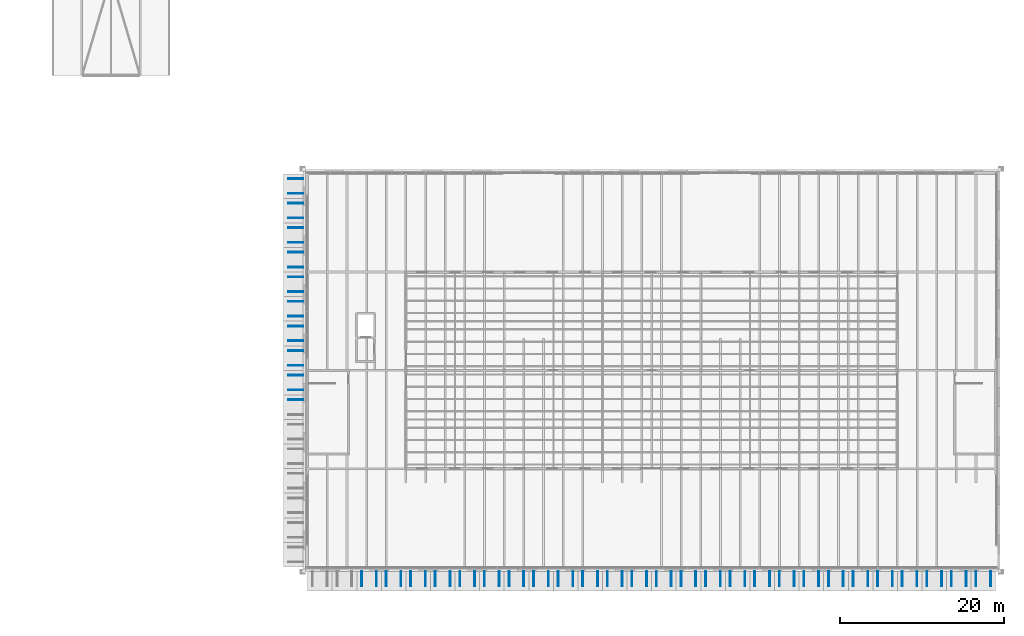
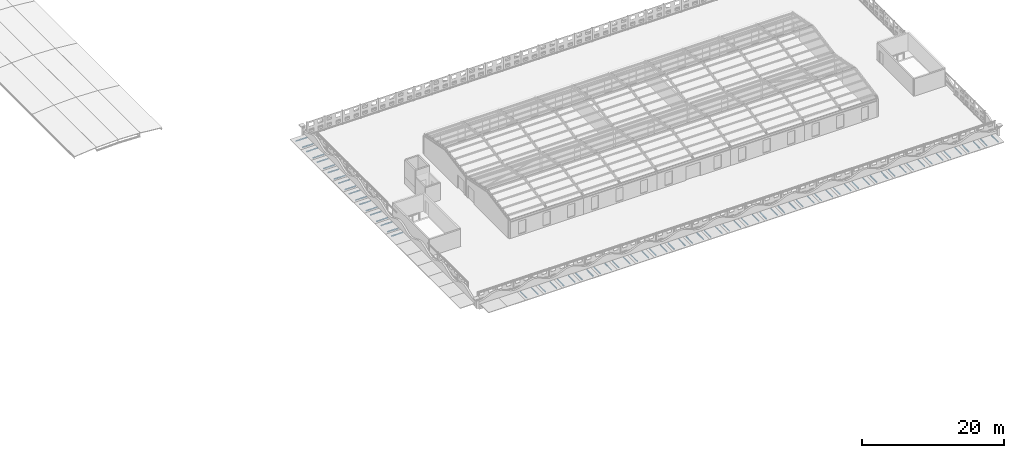
# One storey, part 65 of 91: 71 discrete accessories.
"""IFC4 building model written with IfcOpenShell, lengths in metres."""

from ifc_helpers import new_model, si_unit, direction, frame, origin, origin_2d, place, context, subcontext, project, spatial, rectangle, extrude, material, type_object, element, save


model = new_model("IFC4")

# Units and contexts
model_context = context("Model", 3, precision=1e-05, world=origin(), true_north=direction((0.0, 1.0)))
body_context = subcontext(model_context, "Body", "Model", "MODEL_VIEW")
ifc_project = project(units=[si_unit("LENGTHUNIT", "METRE"), si_unit("AREAUNIT", "SQUARE_METRE"), si_unit("VOLUMEUNIT", "CUBIC_METRE"), si_unit("PLANEANGLEUNIT", "RADIAN"), si_unit("MASSUNIT", "GRAM", prefix="KILO")], contexts=[model_context])

# Site, building, storey
site_placement = place(None, origin())
site = spatial("IfcSite", under=ifc_project, at=site_placement, CompositionType="ELEMENT")
building_placement = place(site_placement, origin())
building = spatial("IfcBuilding", under=site, at=building_placement, Name="Ravi Spectrum Wholesale Market", CompositionType="ELEMENT")
storey_placement = place(building_placement, frame((0.0, 0.0, 16.199951171875)))
storey = spatial("IfcBuildingStorey", under=building, at=storey_placement, Name="ROOF PLANT LEVEL", CompositionType="ELEMENT", Elevation=16.199951171875)

# Discrete accessories
ifc_material = material(Name="Steel S355", Category="steel")
discrete_accessory_type = type_object("IfcDiscreteAccessoryType", Name="Steel cantilever bracket 100 x 120", PredefinedType="BRACKET", material=ifc_material)
for number, where, z_axis, x_axis, name in (
    (1, (204.60009765625, 16.554931640625, 0.27001953125), (0.0, 0.0, 1.0), (1.0, 0.0, 0.0), "Canopy bracket"),
    (2, (206.39990234375, 16.554931640625, 0.27001953125), (0.0, 0.0, 1.0), (1.0, 0.0, 0.0), "Canopy bracket"),
    (3, (207.60009765625, 16.554931640625, 0.27001953125), (0.0, 0.0, 1.0), (1.0, 0.0, 0.0), "Canopy bracket"),
    (4, (209.39990234375, 16.554931640625, 0.27001953125), (0.0, 0.0, 1.0), (1.0, 0.0, 0.0), "Canopy bracket"),
    (5, (210.60009765625, 16.554931640625, 0.27001953125), (0.0, 0.0, 1.0), (1.0, 0.0, 0.0), "Canopy bracket"),
    (6, (212.39990234375, 16.554931640625, 0.27001953125), (0.0, 0.0, 1.0), (1.0, 0.0, 0.0), "Canopy bracket"),
    (7, (213.60009765625, 16.554931640625, 0.27001953125), (0.0, 0.0, 1.0), (1.0, 0.0, 0.0), "Canopy bracket"),
    (8, (215.39990234375, 16.554931640625, 0.27001953125), (0.0, 0.0, 1.0), (1.0, 0.0, 0.0), "Canopy bracket"),
    (9, (216.60009765625, 16.554931640625, 0.27001953125), (0.0, 0.0, 1.0), (1.0, 0.0, 0.0), "Canopy bracket"),
    (10, (218.39990234375, 16.554931640625, 0.27001953125), (0.0, 0.0, 1.0), (1.0, 0.0, 0.0), "Canopy bracket"),
    (11, (219.60009765625, 16.554931640625, 0.27001953125), (0.0, 0.0, 1.0), (1.0, 0.0, 0.0), "Canopy bracket"),
    (12, (221.39990234375, 16.554931640625, 0.27001953125), (0.0, 0.0, 1.0), (1.0, 0.0, 0.0), "Canopy bracket"),
    (13, (222.60009765625, 16.554931640625, 0.27001953125), (0.0, 0.0, 1.0), (1.0, 0.0, 0.0), "Canopy bracket"),
    (14, (224.39990234375, 16.554931640625, 0.27001953125), (0.0, 0.0, 1.0), (1.0, 0.0, 0.0), "Canopy bracket"),
    (15, (225.60009765625, 16.554931640625, 0.27001953125), (0.0, 0.0, 1.0), (1.0, 0.0, 0.0), "Canopy bracket"),
    (16, (227.39990234375, 16.554931640625, 0.27001953125), (0.0, 0.0, 1.0), (1.0, 0.0, 0.0), "Canopy bracket"),
    (17, (228.60009765625, 16.554931640625, 0.27001953125), (0.0, 0.0, 1.0), (1.0, 0.0, 0.0), "Canopy bracket"),
    (18, (230.39990234375, 16.554931640625, 0.27001953125), (0.0, 0.0, 1.0), (1.0, 0.0, 0.0), "Canopy bracket"),
    (19, (231.60009765625, 16.554931640625, 0.27001953125), (0.0, 0.0, 1.0), (1.0, 0.0, 0.0), "Canopy bracket"),
    (20, (233.39990234375, 16.554931640625, 0.27001953125), (0.0, 0.0, 1.0), (1.0, 0.0, 0.0), "Canopy bracket"),
    (21, (234.60009765625, 16.554931640625, 0.27001953125), (0.0, 0.0, 1.0), (1.0, 0.0, 0.0), "Canopy bracket"),
    (22, (236.39990234375, 16.554931640625, 0.27001953125), (0.0, 0.0, 1.0), (1.0, 0.0, 0.0), "Canopy bracket"),
    (23, (237.60009765625, 16.554931640625, 0.27001953125), (0.0, 0.0, 1.0), (1.0, 0.0, 0.0), "Canopy bracket"),
    (24, (239.39990234375, 16.554931640625, 0.27001953125), (0.0, 0.0, 1.0), (1.0, 0.0, 0.0), "Canopy bracket"),
    (25, (240.60009765625, 16.554931640625, 0.27001953125), (0.0, 0.0, 1.0), (1.0, 0.0, 0.0), "Canopy bracket"),
    (26, (242.39990234375, 16.554931640625, 0.27001953125), (0.0, 0.0, 1.0), (1.0, 0.0, 0.0), "Canopy bracket"),
    (27, (243.60009765625, 16.554931640625, 0.27001953125), (0.0, 0.0, 1.0), (1.0, 0.0, 0.0), "Canopy bracket"),
    (28, (245.39990234375, 16.554931640625, 0.27001953125), (0.0, 0.0, 1.0), (1.0, 0.0, 0.0), "Canopy bracket"),
    (29, (246.60009765625, 16.554931640625, 0.27001953125), (0.0, 0.0, 1.0), (1.0, 0.0, 0.0), "Canopy bracket"),
    (30, (248.39990234375, 16.554931640625, 0.27001953125), (0.0, 0.0, 1.0), (1.0, 0.0, 0.0), "Canopy bracket"),
    (31, (249.60009765625, 16.554931640625, 0.27001953125), (0.0, 0.0, 1.0), (1.0, 0.0, 0.0), "Canopy bracket"),
    (32, (251.39990234375, 16.554931640625, 0.27001953125), (0.0, 0.0, 1.0), (1.0, 0.0, 0.0), "Canopy bracket"),
    (33, (252.60009765625, 16.554931640625, 0.27001953125), (0.0, 0.0, 1.0), (1.0, 0.0, 0.0), "Canopy bracket"),
    (34, (254.39990234375, 16.554931640625, 0.27001953125), (0.0, 0.0, 1.0), (1.0, 0.0, 0.0), "Canopy bracket"),
    (35, (255.60009765625, 16.554931640625, 0.27001953125), (0.0, 0.0, 1.0), (1.0, 0.0, 0.0), "Canopy bracket"),
    (36, (257.39990234375, 16.554931640625, 0.27001953125), (0.0, 0.0, 1.0), (1.0, 0.0, 0.0), "Canopy bracket"),
    (37, (258.60009765625, 16.554931640625, 0.27001953125), (0.0, 0.0, 1.0), (1.0, 0.0, 0.0), "Canopy bracket"),
    (38, (260.39990234375, 16.554931640625, 0.27001953125), (0.0, 0.0, 1.0), (1.0, 0.0, 0.0), "Canopy bracket"),
    (39, (261.60009765625, 16.554931640625, 0.27001953125), (0.0, 0.0, 1.0), (1.0, 0.0, 0.0), "Canopy bracket"),
    (40, (263.39990234375, 16.554931640625, 0.27001953125), (0.0, 0.0, 1.0), (1.0, 0.0, 0.0), "Canopy bracket"),
    (41, (264.60009765625, 16.554931640625, 0.27001953125), (0.0, 0.0, 1.0), (1.0, 0.0, 0.0), "Canopy bracket"),
    (42, (266.39990234375, 16.554931640625, 0.27001953125), (0.0, 0.0, 1.0), (1.0, 0.0, 0.0), "Canopy bracket"),
    (43, (267.60009765625, 16.554931640625, 0.27001953125), (0.0, 0.0, 1.0), (1.0, 0.0, 0.0), "Canopy bracket"),
    (44, (269.39990234375, 16.554931640625, 0.27001953125), (0.0, 0.0, 1.0), (1.0, 0.0, 0.0), "Canopy bracket"),
    (45, (270.60009765625, 16.554931640625, 0.27001953125), (0.0, 0.0, 1.0), (1.0, 0.0, 0.0), "Canopy bracket"),
    (46, (272.39990234375, 16.554931640625, 0.27001953125), (0.0, 0.0, 1.0), (1.0, 0.0, 0.0), "Canopy bracket"),
    (47, (273.60009765625, 16.554931640625, 0.27001953125), (0.0, 0.0, 1.0), (1.0, 0.0, 0.0), "Canopy bracket"),
    (48, (275.39990234375, 16.554931640625, 0.27001953125), (0.0, 0.0, 1.0), (1.0, 0.0, 0.0), "Canopy bracket"),
    (49, (276.60009765625, 16.554931640625, 0.27001953125), (0.0, 0.0, 1.0), (1.0, 0.0, 0.0), "Canopy bracket"),
    (50, (278.39990234375, 16.554931640625, 0.27001953125), (0.0, 0.0, 1.0), (1.0, 0.0, 0.0), "Canopy bracket"),
    (51, (279.60009765625, 16.554931640625, 0.27001953125), (0.0, 0.0, 1.0), (1.0, 0.0, 0.0), "Canopy bracket"),
    (52, (281.39990234375, 16.554931640625, 0.27001953125), (0.0, 0.0, 1.0), (1.0, 0.0, 0.0), "Canopy bracket"),
):
    element("IfcDiscreteAccessory", number, at=place(storey_placement, frame(where, z_axis=z_axis, x_axis=x_axis)), inside=storey, type_object=discrete_accessory_type, Name=name, PredefinedType="BRACKET", context=body_context, shape_type="SweptSolid", body=[
        extrude(rectangle(XDim=0.10009765625, YDim=1.81005859375, at=origin_2d()), origin(), (0.0, 0.0, 1.0), 0.1201171875),
    ])
for number, where, z_axis, x_axis, name in (
    (53, (196.554931640625, 38.39990234375, 0.27001953125), (0.0, 0.0, 1.0), (1.0, 0.0, 0.0), "Canopy bracket"),
    (54, (196.554931640625, 39.60009765625, 0.27001953125), (0.0, 0.0, 1.0), (1.0, 0.0, 0.0), "Canopy bracket"),
    (55, (196.554931640625, 41.39990234375, 0.27001953125), (0.0, 0.0, 1.0), (1.0, 0.0, 0.0), "Canopy bracket"),
    (56, (196.554931640625, 42.60009765625, 0.27001953125), (0.0, 0.0, 1.0), (1.0, 0.0, 0.0), "Canopy bracket"),
    (57, (196.554931640625, 44.39990234375, 0.27001953125), (0.0, 0.0, 1.0), (1.0, 0.0, 0.0), "Canopy bracket"),
    (58, (196.554931640625, 45.60009765625, 0.27001953125), (0.0, 0.0, 1.0), (1.0, 0.0, 0.0), "Canopy bracket"),
    (59, (196.554931640625, 47.39990234375, 0.27001953125), (0.0, 0.0, 1.0), (1.0, 0.0, 0.0), "Canopy bracket"),
    (60, (196.554931640625, 48.60009765625, 0.27001953125), (0.0, 0.0, 1.0), (1.0, 0.0, 0.0), "Canopy bracket"),
    (61, (196.554931640625, 50.39990234375, 0.27001953125), (0.0, 0.0, 1.0), (1.0, 0.0, 0.0), "Canopy bracket"),
    (62, (196.554931640625, 51.60009765625, 0.27001953125), (0.0, 0.0, 1.0), (1.0, 0.0, 0.0), "Canopy bracket"),
    (63, (196.554931640625, 53.39990234375, 0.27001953125), (0.0, 0.0, 1.0), (1.0, 0.0, 0.0), "Canopy bracket"),
    (64, (196.554931640625, 54.60009765625, 0.27001953125), (0.0, 0.0, 1.0), (1.0, 0.0, 0.0), "Canopy bracket"),
    (65, (196.554931640625, 56.39990234375, 0.27001953125), (0.0, 0.0, 1.0), (1.0, 0.0, 0.0), "Canopy bracket"),
    (66, (196.554931640625, 57.60009765625, 0.27001953125), (0.0, 0.0, 1.0), (1.0, 0.0, 0.0), "Canopy bracket"),
    (67, (196.554931640625, 59.39990234375, 0.27001953125), (0.0, 0.0, 1.0), (1.0, 0.0, 0.0), "Canopy bracket"),
    (68, (196.554931640625, 60.60009765625, 0.27001953125), (0.0, 0.0, 1.0), (1.0, 0.0, 0.0), "Canopy bracket"),
    (69, (196.554931640625, 62.39990234375, 0.27001953125), (0.0, 0.0, 1.0), (1.0, 0.0, 0.0), "Canopy bracket"),
    (70, (196.554931640625, 63.60009765625, 0.27001953125), (0.0, 0.0, 1.0), (1.0, 0.0, 0.0), "Canopy bracket"),
    (71, (196.554931640625, 65.39990234375, 0.27001953125), (0.0, 0.0, 1.0), (1.0, 0.0, 0.0), "Canopy bracket"),
):
    element("IfcDiscreteAccessory", number, at=place(storey_placement, frame(where, z_axis=z_axis, x_axis=x_axis)), inside=storey, type_object=discrete_accessory_type, Name=name, PredefinedType="BRACKET", context=body_context, shape_type="SweptSolid", body=[
        extrude(rectangle(XDim=1.81005859375, YDim=0.10009765625, at=origin_2d()), origin(), (0.0, 0.0, 1.0), 0.1201171875),
    ])

save(model, "model.ifc")
